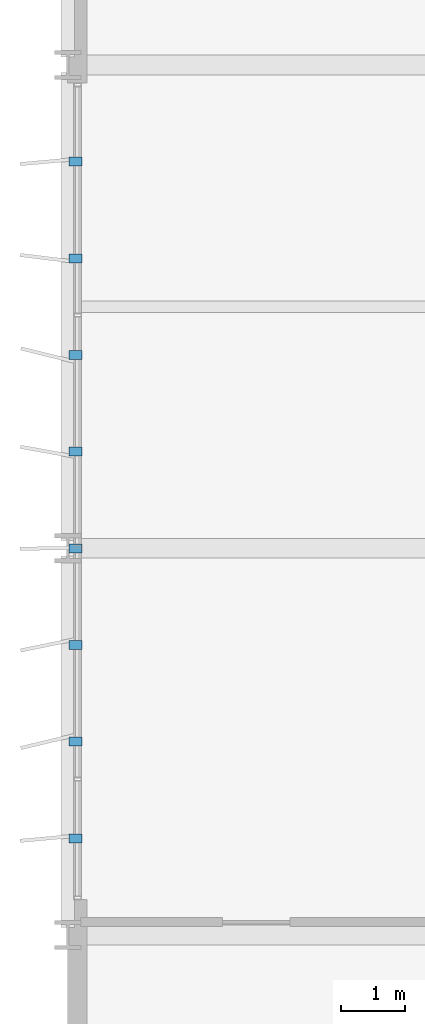
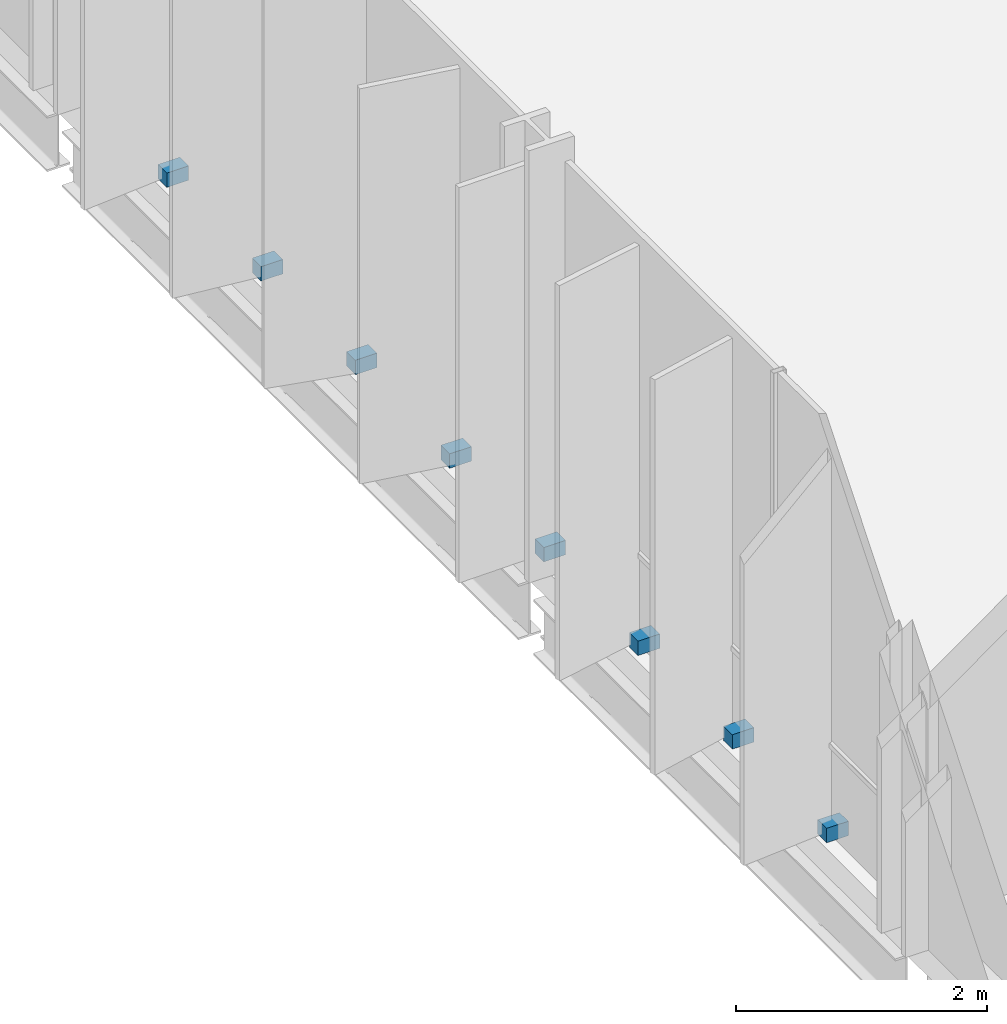
# One storey, part 28 of 32: 8 discrete accessories.
"""IFC4 building model written with IfcOpenShell, lengths in metres."""

import ifcopenshell
import ifcopenshell.guid

model = None  # the IFC model being written
_history = None  # IfcOwnerHistory: only IFC2X3 demands one
_inside = {}  # id of a spatial element -> (the spatial element, [elements in it])
_under = {}  # id of a project, library or spatial element -> (it, [spatial elements below it])
_declared = {}  # id of a project -> (the project, [libraries it declares])
_typed = {}  # id of a type object -> (the type object, [elements of that type])
_made_of = {}  # id of a material, layer set ... -> (it, [elements and type objects made of it])


def new_model(schema):
    """Start an empty IFC model of exactly this schema.

    Asked for "IFC4X3", IfcOpenShell would pick the latest addendum, in which some entities
    have other attributes; the version numbers below select the first issue.
    IFC2X3 requires an IfcOwnerHistory on every rooted entity: one is made here for all.
    """
    global model, _history
    if schema == "IFC4X3":
        model = ifcopenshell.file(schema_version=(4, 3, 0, 0))
    else:
        model = ifcopenshell.file(schema=schema)
    _inside.clear()
    _under.clear()
    _declared.clear()
    _typed.clear()
    _made_of.clear()
    _history = None
    if model.schema == "IFC2X3":
        org = make("IfcOrganization", Name="unknown")
        user = make(
            "IfcPersonAndOrganization",
            ThePerson=make("IfcPerson", FamilyName="unknown"),
            TheOrganization=org,
        )
        app = make(
            "IfcApplication",
            ApplicationDeveloper=org,
            Version="unknown",
            ApplicationFullName="unknown",
            ApplicationIdentifier="unknown",
        )
        _history = make(
            "IfcOwnerHistory",
            OwningUser=user,
            OwningApplication=app,
            ChangeAction="ADDED",
            CreationDate=0,
        )
    return model


def make(cls, **values):
    """One entity of the class cls with the attributes given. An attribute that is None is left unset."""
    return model.create_entity(
        cls, **{name: value for name, value in values.items() if value is not None}
    )


def rooted(cls, **values):
    """An entity with a GlobalId (a new one), such as an element, a storey or a relation."""
    return make(cls, GlobalId=ifcopenshell.guid.new(), OwnerHistory=_history, **values)


def si_unit(unit_type, name, prefix=None):
    """IfcSIUnit, for example si_unit("LENGTHUNIT", "METRE", prefix="MILLI")."""
    return make("IfcSIUnit", UnitType=unit_type, Prefix=prefix, Name=name)


def assignment(units):
    """IfcUnitAssignment: the units of a project."""
    return None if units is None else make("IfcUnitAssignment", Units=units)


def point(xyz):
    """IfcCartesianPoint."""
    return None if xyz is None else make("IfcCartesianPoint", Coordinates=xyz)


def direction(xyz):
    """IfcDirection."""
    return None if xyz is None else make("IfcDirection", DirectionRatios=xyz)


def frame(location, z_axis=None, x_axis=None):
    """IfcAxis2Placement3D, a coordinate frame: its origin and axes. An axis left out is left unset."""
    return make(
        "IfcAxis2Placement3D",
        Location=point(location),
        Axis=direction(z_axis),
        RefDirection=direction(x_axis),
    )


def frame_2d(location, x_axis=None):
    """IfcAxis2Placement2D, a coordinate frame in the plane: its origin and x axis."""
    return make(
        "IfcAxis2Placement2D", Location=point(location), RefDirection=direction(x_axis)
    )


def origin():
    """The frame at (0, 0, 0) with its axes left unset."""
    return frame((0.0, 0.0, 0.0))


def origin_2d():
    """The frame at (0, 0) in the plane with its x axis left unset."""
    return frame_2d((0.0, 0.0))


def place(relative_to, where):
    """IfcLocalPlacement: puts the frame where relative to a parent placement (None: the world)."""
    return make(
        "IfcLocalPlacement", PlacementRelTo=relative_to, RelativePlacement=where
    )


def context(
    kind, dimensions, precision=None, world=None, true_north=None, identifier=None
):
    """IfcGeometricRepresentationContext, for example the 3D "Model" context."""
    return make(
        "IfcGeometricRepresentationContext",
        ContextIdentifier=identifier,
        ContextType=kind,
        CoordinateSpaceDimension=dimensions,
        Precision=precision,
        WorldCoordinateSystem=world,
        TrueNorth=true_north,
    )


def subcontext(parent, identifier, kind, view, scale=None):
    """IfcGeometricRepresentationSubContext, for example "Body" below "Model"."""
    return make(
        "IfcGeometricRepresentationSubContext",
        ContextIdentifier=identifier,
        ContextType=kind,
        ParentContext=parent,
        TargetScale=scale,
        TargetView=view,
    )


def project(units=None, contexts=None):
    """IfcProject with its units and contexts."""
    return rooted(
        "IfcProject",
        Name="project",
        RepresentationContexts=contexts,
        UnitsInContext=assignment(units),
    )


def spatial(cls, under=None, at=None, **own):
    """A site, building, storey or space (cls), placed at a placement, below another one or the project."""
    s = rooted(cls, ObjectPlacement=at, **own)
    if under is not None:
        _under.setdefault(under.id(), (under, []))[1].append(s)
    return s


def profile(cls, at=None, kind="AREA", **sizes):
    """A parametric profile (cls). Its sizes go by their IFC names, for example OverallWidth=200.0."""
    return make(cls, ProfileType=kind, Position=at, **sizes)


def rectangle(**sizes):
    """IfcRectangleProfileDef."""
    return profile("IfcRectangleProfileDef", **sizes)


def extrude(swept, where, along, depth):
    """IfcExtrudedAreaSolid: the profile swept, set in the frame where, extruded along a direction by depth."""
    return make(
        "IfcExtrudedAreaSolid",
        SweptArea=swept,
        Position=where,
        ExtrudedDirection=direction(along),
        Depth=depth,
    )


def shape(context_of_items, identifier, shape_type, items):
    """IfcShapeRepresentation: the items that make up one representation, for example the "Body"."""
    return make(
        "IfcShapeRepresentation",
        ContextOfItems=context_of_items,
        RepresentationIdentifier=identifier,
        RepresentationType=shape_type,
        Items=items,
    )


def material(Name=None, Category=None):
    """IfcMaterial."""
    return make("IfcMaterial", Name=Name, Category=Category)


def made_of(thing, what):
    """Note that an element or type object is made of a material, layer set ...; save() writes the relation."""
    if what is not None:
        _made_of.setdefault(what.id(), (what, []))[1].append(thing)
    return thing


def type_object(cls, material=None, **own):
    """A type object (cls), such as IfcWallType, which elements share."""
    return made_of(rooted(cls, **own), material)


def element(
    cls,
    number,
    at=None,
    inside=None,
    cuts=None,
    type_object=None,
    material=None,
    context=None,
    identifier="Body",
    shape_type=None,
    held_by="IfcProductDefinitionShape",
    body=None,
    shapes=None,
    **own,
):
    """One element of the class cls, such as IfcWall. Its Tag is "e" and its number.

    at: its placement. inside: the storey or other place that contains it. cuts: it is an
    opening in that element (IfcRelVoidsElement). A single representation is given by context,
    identifier, shape_type and body (its items); several are given by shapes. held_by: the class
    of the entity that holds the representations. save() writes the other relations.
    """
    e = rooted(cls, Tag="e%d" % number, ObjectPlacement=at, **own)
    if body is not None:
        shapes = [shape(context, identifier, shape_type, body)]
    if shapes is not None:
        e.Representation = make(held_by, Representations=shapes)
    if inside is not None:
        _inside.setdefault(inside.id(), (inside, []))[1].append(e)
    if cuts is not None:
        rooted(
            "IfcRelVoidsElement", RelatingBuildingElement=cuts, RelatedOpeningElement=e
        )
    if type_object is not None:
        _typed.setdefault(type_object.id(), (type_object, []))[1].append(e)
    return made_of(e, material)


def aggregate(whole, parts):
    """IfcRelAggregates: a whole, such as a stair, and the parts it consists of."""
    return rooted("IfcRelAggregates", RelatingObject=whole, RelatedObjects=parts)


def save(model, path):
    """Write the relations noted so far, then the file.

    IfcRelAggregates (storeys below a building ...), IfcRelContainedInSpatialStructure (elements
    in a storey), IfcRelDefinesByType, IfcRelAssociatesMaterial and IfcRelDeclares: one each for
    every whole, place, type object, material and project.
    """
    for whole, parts in _under.values():
        aggregate(whole, parts)
    for where, things in _inside.values():
        rooted(
            "IfcRelContainedInSpatialStructure",
            RelatedElements=things,
            RelatingStructure=where,
        )
    for kind, things in _typed.values():
        rooted("IfcRelDefinesByType", RelatedObjects=things, RelatingType=kind)
    for what, things in _made_of.values():
        rooted("IfcRelAssociatesMaterial", RelatedObjects=things, RelatingMaterial=what)
    for by, libraries in _declared.values():
        rooted("IfcRelDeclares", RelatingContext=by, RelatedDefinitions=libraries)
    model.write(path)


model = new_model("IFC4")

# Units and contexts
model_context = context("Model", 3, precision=1e-05, world=origin(), true_north=direction((0.0, 1.0)))
body_context = subcontext(model_context, "Body", "Model", "MODEL_VIEW")
ifc_project = project(units=[si_unit("LENGTHUNIT", "METRE"), si_unit("AREAUNIT", "SQUARE_METRE"), si_unit("VOLUMEUNIT", "CUBIC_METRE"), si_unit("PLANEANGLEUNIT", "RADIAN"), si_unit("MASSUNIT", "GRAM", prefix="KILO")], contexts=[model_context])

# Site, building, storey
site_placement = place(None, origin())
site = spatial("IfcSite", under=ifc_project, at=site_placement, CompositionType="ELEMENT")
building_placement = place(site_placement, origin())
building = spatial("IfcBuilding", under=site, at=building_placement, Name="Brevholm Reach", CompositionType="ELEMENT")
storey_placement = place(building_placement, frame((0.0, 0.0, 96.199951171875)))
storey = spatial("IfcBuildingStorey", under=building, at=storey_placement, Name="L28", CompositionType="ELEMENT", Elevation=96.199951171875)

# Discrete accessories
ifc_material = material(Name="Duplex Stainless Steel EN 1.4462", Category="steel")
discrete_accessory_type = type_object("IfcDiscreteAccessoryType", Name="ACC-BRK-01", PredefinedType="BRACKET", material=ifc_material)
for number, where, z_axis, x_axis, name in (
    (1, (0.1201171875, 11.5, 0.0302734375), (0.0, 0.0, 1.0), (-1.0, 0.0, 0.0), "L28 Solar Screen Support Bracket 1"),
    (2, (0.1201171875, 13.0, 0.0302734375), (0.0, 0.0, 1.0), (-1.0, 0.0, 0.0), "L28 Solar Screen Support Bracket 2"),
    (3, (0.1201171875, 14.5, 0.0302734375), (0.0, 0.0, 1.0), (-1.0, 0.0, 0.0), "L28 Solar Screen Support Bracket 3"),
    (4, (0.1201171875, 16.0, 0.0302734375), (0.0, 0.0, 1.0), (-1.0, 0.0, 0.0), "L28 Solar Screen Support Bracket 4"),
    (5, (0.1201171875, 17.5, 0.0302734375), (0.0, 0.0, 1.0), (-1.0, 0.0, 0.0), "L28 Solar Screen Support Bracket 5"),
    (6, (0.1201171875, 19.0, 0.0302734375), (0.0, 0.0, 1.0), (-1.0, 0.0, 0.0), "L28 Solar Screen Support Bracket 6"),
    (7, (0.1201171875, 20.5, 0.0302734375), (0.0, 0.0, 1.0), (-1.0, 0.0, 0.0), "L28 Solar Screen Support Bracket 7"),
    (8, (0.1201171875, 22.0, 0.0302734375), (0.0, 0.0, 1.0), (-1.0, 0.0, 0.0), "L28 Solar Screen Support Bracket 8"),
):
    element("IfcDiscreteAccessory", number, at=place(storey_placement, frame(where, z_axis=z_axis, x_axis=x_axis)), inside=storey, type_object=discrete_accessory_type, Name=name, PredefinedType="BRACKET", context=body_context, shape_type="SweptSolid", body=[
        extrude(rectangle(XDim=0.199951171875, YDim=0.139892578125, at=origin_2d()), origin(), (0.0, 0.0, 1.0), 0.139892578125),
    ])

save(model, "model.ifc")
